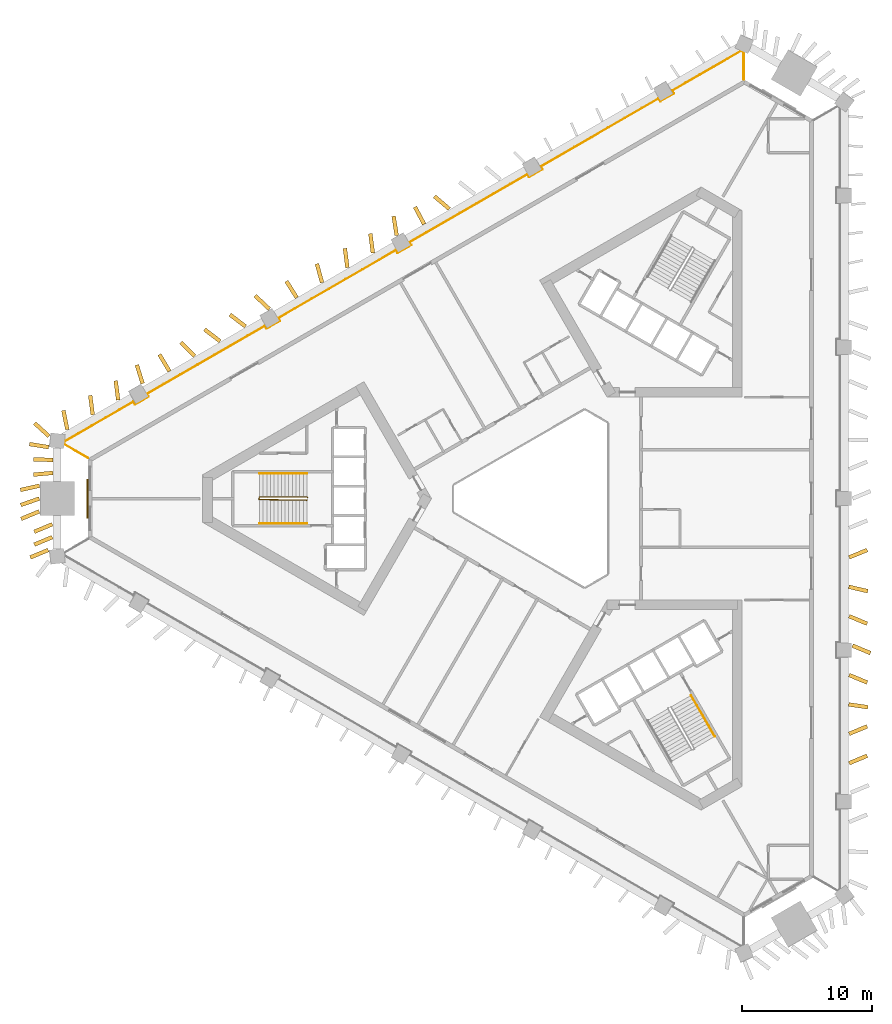
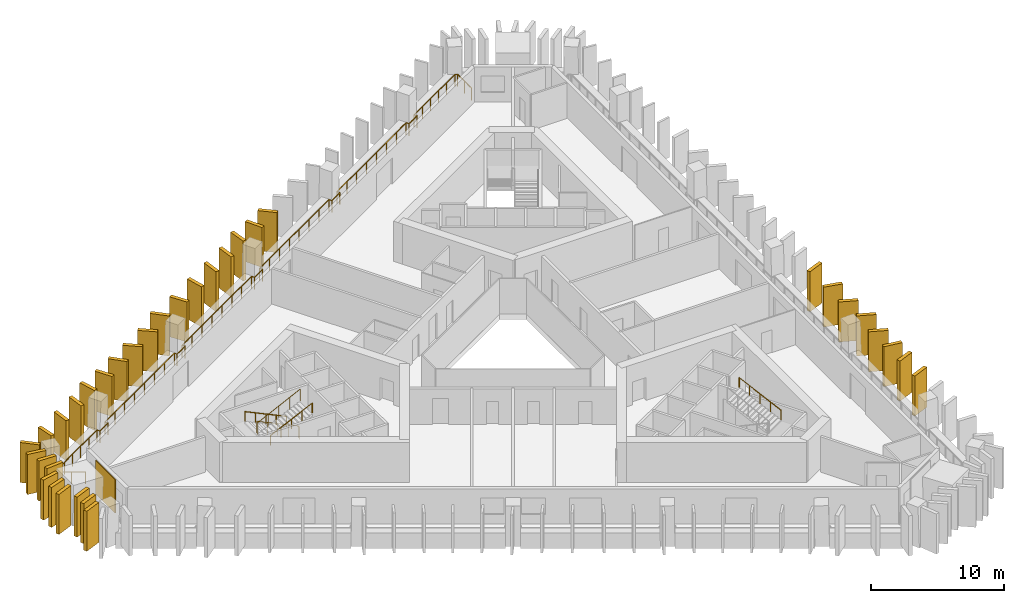
# One storey, part 8 of 9: 34 shading devices, 5 railings, 1 covering.
"""IFC4 building model written with IfcOpenShell, lengths in metres."""

from ifc_helpers import new_model, si_unit, direction, frame, frame_2d, origin, origin_2d, place, context, subcontext, project, spatial, rectangle, circle, extrude, material, layer, layer_set, type_object, element, save


model = new_model("IFC4")

# Units and contexts
model_context = context("Model", 3, precision=1e-05, world=origin(), true_north=direction((0.0, 1.0)))
body_context = subcontext(model_context, "Body", "Model", "MODEL_VIEW")
ifc_project = project(units=[si_unit("LENGTHUNIT", "METRE"), si_unit("AREAUNIT", "SQUARE_METRE"), si_unit("VOLUMEUNIT", "CUBIC_METRE"), si_unit("PLANEANGLEUNIT", "RADIAN"), si_unit("MASSUNIT", "GRAM", prefix="KILO")], contexts=[model_context])

# Site, building, storey
site_placement = place(None, origin())
site = spatial("IfcSite", under=ifc_project, at=site_placement, CompositionType="ELEMENT")
building_placement = place(site_placement, origin())
building = spatial("IfcBuilding", under=site, at=building_placement, Name="Jabali Bay Hotel Tower and Convention Centre", CompositionType="ELEMENT")
storey_placement = place(building_placement, frame((0.0, 0.0, 94.300048828125)))
storey = spatial("IfcBuildingStorey", under=building, at=storey_placement, Name="L22", CompositionType="ELEMENT", Elevation=94.300048828125)

# Railing
ifc_material_1 = material(Name="Glass", Category="glass")
railing_type_1 = type_object("IfcRailingType", Name="Loggia glass guard 1100", PredefinedType="BALUSTRADE", material=ifc_material_1)
railing_1_placement = place(storey_placement, frame((39.59423828125, 83.116455078125, 0.0)))
element("IfcRailing", 1, at=railing_1_placement, inside=storey, type_object=railing_type_1, Name="Loggia glass guard L22", PredefinedType="BALUSTRADE", context=body_context, shape_type="SweptSolid", body=[
    extrude(circle(Radius=0.02490234375, at=origin_2d()), frame((0.0, 0.0, 1.0751953125), z_axis=(-0.866006443985, 0.500032837899, 0.0), x_axis=(-0.495754987653, -0.858597638805, 0.13052619222)), (0.0, 0.0, 1.0), 2.110595703125),
    extrude(circle(Radius=0.02490234375, at=origin_2d()), frame((-1.827880859375, 1.055419921875, 1.0751953125), z_axis=(0.117171257249, 0.993111724065, 0.0), x_axis=(-0.984615515594, 0.116168840901, 0.13052619222)), (0.0, 0.0, 1.0), 0.214599609375),
    extrude(circle(Radius=0.02490234375, at=origin_2d()), frame((-1.802734375, 1.2685546875, 1.0751953125), z_axis=(0.866013589157, 0.500020462976, 0.0), x_axis=(-0.495742718599, 0.85860472285, 0.13052619222)), (0.0, 0.0, 1.0), 6.122314453125),
    extrude(circle(Radius=0.02490234375, at=origin_2d()), frame((3.499267578125, 4.329833984375, 1.0751953125), z_axis=(0.499919672301, -0.866071776036, 0.0), x_axis=(0.858662411932, 0.495642790202, 0.13052619222)), (0.0, 0.0, 1.0), 0.25),
    extrude(circle(Radius=0.02490234375, at=origin_2d()), frame((3.624267578125, 4.11328125, 1.0751953125), z_axis=(0.866006032174, 0.500033551112, 0.0), x_axis=(-0.495755694765, 0.858597230518, 0.13052619222)), (0.0, 0.0, 1.0), 1.2001953125),
    extrude(circle(Radius=0.02490234375, at=origin_2d()), frame((4.66357421875, 4.71337890625, 1.0751953125), z_axis=(-0.500342721131, 0.865827443207, 0.0), x_axis=(-0.858420169404, -0.496062219791, 0.13052619222)), (0.0, 0.0, 1.0), 0.249755859375),
    extrude(circle(Radius=0.02490234375, at=origin_2d()), frame((4.53857421875, 4.9296875, 1.0751953125), z_axis=(0.866019916724, 0.500009503747, 0.0), x_axis=(-0.495731853129, 0.858610996283, 0.13052619222)), (0.0, 0.0, 1.0), 10.454345703125),
    extrude(circle(Radius=0.02490234375, at=origin_2d()), frame((13.59228515625, 10.156982421875, 1.0751953125), z_axis=(0.499919672301, -0.866071776036, 0.0), x_axis=(0.858662411932, 0.495642790202, 0.13052619222)), (0.0, 0.0, 1.0), 0.25),
    extrude(circle(Radius=0.02490234375, at=origin_2d()), frame((13.71728515625, 9.9404296875, 1.0751953125), z_axis=(0.866006032174, 0.500033551112, 0.0), x_axis=(-0.495755694765, 0.858597230518, 0.13052619222)), (0.0, 0.0, 1.0), 1.2001953125),
    extrude(circle(Radius=0.02490234375, at=origin_2d()), frame((14.756591796875, 10.54052734375, 1.0751953125), z_axis=(-0.500342721131, 0.865827443207, 0.0), x_axis=(-0.858420169404, -0.496062219791, 0.13052619222)), (0.0, 0.0, 1.0), 0.249755859375),
    extrude(circle(Radius=0.02490234375, at=origin_2d()), frame((14.631591796875, 10.7568359375, 1.0751953125), z_axis=(0.866019916724, 0.500009503747, 0.0), x_axis=(-0.495731853129, 0.858610996283, 0.13052619222)), (0.0, 0.0, 1.0), 10.454345703125),
    extrude(circle(Radius=0.02490234375, at=origin_2d()), frame((23.685302734375, 15.984130859375, 1.0751953125), z_axis=(0.499919672301, -0.866071776036, 0.0), x_axis=(0.858662411932, 0.495642790202, 0.13052619222)), (0.0, 0.0, 1.0), 0.25),
    extrude(circle(Radius=0.02490234375, at=origin_2d()), frame((23.810302734375, 15.767578125, 1.0751953125), z_axis=(0.865955154139, 0.50012165622, 0.0), x_axis=(-0.495843046121, 0.858546787751, 0.13052619222)), (0.0, 0.0, 1.0), 1.199951171875),
    extrude(circle(Radius=0.02490234375, at=origin_2d()), frame((24.849365234375, 16.36767578125, 1.0751953125), z_axis=(-0.499919672301, 0.866071776036, 0.0), x_axis=(-0.858662411932, -0.495642790202, 0.13052619222)), (0.0, 0.0, 1.0), 0.25),
    extrude(circle(Radius=0.02490234375, at=origin_2d()), frame((24.724365234375, 16.584228515625, 1.0751953125), z_axis=(0.866030028907, 0.499991988968, 0.0), x_axis=(-0.49571448819, 0.858621021955, 0.13052619222)), (0.0, 0.0, 1.0), 10.454345703125),
    extrude(circle(Radius=0.02490234375, at=origin_2d()), frame((33.778076171875, 21.811279296875, 1.0751953125), z_axis=(0.499919672301, -0.866071776036, 0.0), x_axis=(0.858662411932, 0.495642790202, 0.13052619222)), (0.0, 0.0, 1.0), 0.25),
    extrude(circle(Radius=0.02490234375, at=origin_2d()), frame((33.903076171875, 21.5947265625, 1.0751953125), z_axis=(0.866006032174, 0.500033551112, 0.0), x_axis=(-0.495755694765, 0.858597230518, 0.13052619222)), (0.0, 0.0, 1.0), 1.2001953125),
    extrude(circle(Radius=0.02490234375, at=origin_2d()), frame((34.9423828125, 22.19482421875, 1.0751953125), z_axis=(-0.499919672301, 0.866071776036, 0.0), x_axis=(-0.858662411932, -0.495642790202, 0.13052619222)), (0.0, 0.0, 1.0), 0.25),
    extrude(circle(Radius=0.02490234375, at=origin_2d()), frame((34.8173828125, 22.411376953125, 1.0751953125), z_axis=(0.866030028907, 0.499991988968, 0.0), x_axis=(-0.49571448819, 0.858621021955, 0.13052619222)), (0.0, 0.0, 1.0), 10.454345703125),
    extrude(circle(Radius=0.02490234375, at=origin_2d()), frame((43.87109375, 27.638427734375, 1.0751953125), z_axis=(0.499919672301, -0.866071776036, 0.0), x_axis=(0.858662411932, 0.495642790202, 0.13052619222)), (0.0, 0.0, 1.0), 0.25),
    extrude(circle(Radius=0.02490234375, at=origin_2d()), frame((43.99609375, 27.421875, 1.0751953125), z_axis=(0.866006032174, 0.500033551112, 0.0), x_axis=(-0.495755694765, 0.858597230518, 0.13052619222)), (0.0, 0.0, 1.0), 1.2001953125),
    extrude(circle(Radius=0.02490234375, at=origin_2d()), frame((45.035400390625, 28.02197265625, 1.0751953125), z_axis=(-0.499919672301, 0.866071776036, 0.0), x_axis=(-0.858662411932, -0.495642790202, 0.13052619222)), (0.0, 0.0, 1.0), 0.25),
    extrude(circle(Radius=0.02490234375, at=origin_2d()), frame((44.910400390625, 28.238525390625, 1.0751953125), z_axis=(0.86604082541, 0.49997328801, 0.0), x_axis=(-0.495695947221, 0.858631726093, 0.13052619222)), (0.0, 0.0, 1.0), 6.122314453125),
    extrude(circle(Radius=0.02490234375, at=origin_2d()), frame((50.212646484375, 31.299560546875, 1.0751953125), z_axis=(0.918673318712, -0.395018143238, 0.0), x_axis=(0.391638708263, 0.910813941118, 0.13052619222)), (0.0, 0.0, 1.0), 0.21435546875),
    extrude(circle(Radius=0.02490234375, at=origin_2d()), frame((50.40966796875, 31.21484375, 1.0751953125), z_axis=(0.0, -1.0, 0.0), x_axis=(0.991444861374, 0.0, 0.13052619222)), (0.0, 0.0, 1.0), 2.11083984375),
    extrude(circle(Radius=0.02001953125, at=origin_2d()), origin(), (0.0, 0.0, 1.0), 1.050048828125),
    extrude(circle(Radius=0.02001953125, at=origin_2d()), frame((-0.9140625, 0.52783203125, 0.0)), (0.0, 0.0, 1.0), 1.050048828125),
    extrude(circle(Radius=0.02001953125, at=origin_2d()), frame((-1.827880859375, 1.055419921875, 0.0)), (0.0, 0.0, 1.0), 1.050048828125),
    extrude(circle(Radius=0.02001953125, at=origin_2d()), frame((-1.802734375, 1.2685546875, 0.0)), (0.0, 0.0, 1.0), 1.050048828125),
    extrude(circle(Radius=0.02001953125, at=origin_2d()), frame((-0.742431640625, 1.880859375, 0.0)), (0.0, 0.0, 1.0), 1.050048828125),
    extrude(circle(Radius=0.02001953125, at=origin_2d()), frame((0.318115234375, 2.4931640625, 0.0)), (0.0, 0.0, 1.0), 1.050048828125),
    extrude(circle(Radius=0.02001953125, at=origin_2d()), frame((1.37841796875, 3.105224609375, 0.0)), (0.0, 0.0, 1.0), 1.050048828125),
    extrude(circle(Radius=0.02001953125, at=origin_2d()), frame((2.43896484375, 3.717529296875, 0.0)), (0.0, 0.0, 1.0), 1.050048828125),
    extrude(circle(Radius=0.02001953125, at=origin_2d()), frame((3.499267578125, 4.329833984375, 0.0)), (0.0, 0.0, 1.0), 1.050048828125),
    extrude(circle(Radius=0.02001953125, at=origin_2d()), frame((3.624267578125, 4.11328125, 0.0)), (0.0, 0.0, 1.0), 1.050048828125),
    extrude(circle(Radius=0.02001953125, at=origin_2d()), frame((4.66357421875, 4.71337890625, 0.0)), (0.0, 0.0, 1.0), 1.050048828125),
    extrude(circle(Radius=0.02001953125, at=origin_2d()), frame((4.53857421875, 4.9296875, 0.0)), (0.0, 0.0, 1.0), 1.050048828125),
    extrude(circle(Radius=0.02001953125, at=origin_2d()), frame((5.83203125, 5.676513671875, 0.0)), (0.0, 0.0, 1.0), 1.050048828125),
    extrude(circle(Radius=0.02001953125, at=origin_2d()), frame((7.125244140625, 6.423095703125, 0.0)), (0.0, 0.0, 1.0), 1.050048828125),
    extrude(circle(Radius=0.02001953125, at=origin_2d()), frame((8.418701171875, 7.169921875, 0.0)), (0.0, 0.0, 1.0), 1.050048828125),
    extrude(circle(Radius=0.02001953125, at=origin_2d()), frame((9.712158203125, 7.916748046875, 0.0)), (0.0, 0.0, 1.0), 1.050048828125),
    extrude(circle(Radius=0.02001953125, at=origin_2d()), frame((11.005615234375, 8.66357421875, 0.0)), (0.0, 0.0, 1.0), 1.050048828125),
    extrude(circle(Radius=0.02001953125, at=origin_2d()), frame((12.298828125, 9.41015625, 0.0)), (0.0, 0.0, 1.0), 1.050048828125),
    extrude(circle(Radius=0.02001953125, at=origin_2d()), frame((13.59228515625, 10.156982421875, 0.0)), (0.0, 0.0, 1.0), 1.050048828125),
    extrude(circle(Radius=0.02001953125, at=origin_2d()), frame((13.71728515625, 9.9404296875, 0.0)), (0.0, 0.0, 1.0), 1.050048828125),
    extrude(circle(Radius=0.02001953125, at=origin_2d()), frame((14.756591796875, 10.54052734375, 0.0)), (0.0, 0.0, 1.0), 1.050048828125),
    extrude(circle(Radius=0.02001953125, at=origin_2d()), frame((14.631591796875, 10.7568359375, 0.0)), (0.0, 0.0, 1.0), 1.050048828125),
    extrude(circle(Radius=0.02001953125, at=origin_2d()), frame((15.925048828125, 11.503662109375, 0.0)), (0.0, 0.0, 1.0), 1.050048828125),
    extrude(circle(Radius=0.02001953125, at=origin_2d()), frame((17.21826171875, 12.250244140625, 0.0)), (0.0, 0.0, 1.0), 1.050048828125),
    extrude(circle(Radius=0.02001953125, at=origin_2d()), frame((18.51171875, 12.9970703125, 0.0)), (0.0, 0.0, 1.0), 1.050048828125),
    extrude(circle(Radius=0.02001953125, at=origin_2d()), frame((19.80517578125, 13.743896484375, 0.0)), (0.0, 0.0, 1.0), 1.050048828125),
    extrude(circle(Radius=0.02001953125, at=origin_2d()), frame((21.0986328125, 14.49072265625, 0.0)), (0.0, 0.0, 1.0), 1.050048828125),
    extrude(circle(Radius=0.02001953125, at=origin_2d()), frame((22.391845703125, 15.2373046875, 0.0)), (0.0, 0.0, 1.0), 1.050048828125),
    extrude(circle(Radius=0.02001953125, at=origin_2d()), frame((23.685302734375, 15.984130859375, 0.0)), (0.0, 0.0, 1.0), 1.050048828125),
    extrude(circle(Radius=0.02001953125, at=origin_2d()), frame((23.810302734375, 15.767578125, 0.0)), (0.0, 0.0, 1.0), 1.050048828125),
    extrude(circle(Radius=0.02001953125, at=origin_2d()), frame((24.849365234375, 16.36767578125, 0.0)), (0.0, 0.0, 1.0), 1.050048828125),
    extrude(circle(Radius=0.02001953125, at=origin_2d()), frame((24.724365234375, 16.584228515625, 0.0)), (0.0, 0.0, 1.0), 1.050048828125),
    extrude(circle(Radius=0.02001953125, at=origin_2d()), frame((26.017822265625, 17.3310546875, 0.0)), (0.0, 0.0, 1.0), 1.050048828125),
    extrude(circle(Radius=0.02001953125, at=origin_2d()), frame((27.31103515625, 18.07763671875, 0.0)), (0.0, 0.0, 1.0), 1.050048828125),
    extrude(circle(Radius=0.02001953125, at=origin_2d()), frame((28.6044921875, 18.824462890625, 0.0)), (0.0, 0.0, 1.0), 1.050048828125),
    extrude(circle(Radius=0.02001953125, at=origin_2d()), frame((29.89794921875, 19.571044921875, 0.0)), (0.0, 0.0, 1.0), 1.050048828125),
    extrude(circle(Radius=0.02001953125, at=origin_2d()), frame((31.19140625, 20.31787109375, 0.0)), (0.0, 0.0, 1.0), 1.050048828125),
    extrude(circle(Radius=0.02001953125, at=origin_2d()), frame((32.484619140625, 21.064453125, 0.0)), (0.0, 0.0, 1.0), 1.050048828125),
    extrude(circle(Radius=0.02001953125, at=origin_2d()), frame((33.778076171875, 21.811279296875, 0.0)), (0.0, 0.0, 1.0), 1.050048828125),
    extrude(circle(Radius=0.02001953125, at=origin_2d()), frame((33.903076171875, 21.5947265625, 0.0)), (0.0, 0.0, 1.0), 1.050048828125),
    extrude(circle(Radius=0.02001953125, at=origin_2d()), frame((34.9423828125, 22.19482421875, 0.0)), (0.0, 0.0, 1.0), 1.050048828125),
    extrude(circle(Radius=0.02001953125, at=origin_2d()), frame((34.8173828125, 22.411376953125, 0.0)), (0.0, 0.0, 1.0), 1.050048828125),
    extrude(circle(Radius=0.02001953125, at=origin_2d()), frame((36.11083984375, 23.158203125, 0.0)), (0.0, 0.0, 1.0), 1.050048828125),
    extrude(circle(Radius=0.02001953125, at=origin_2d()), frame((37.404052734375, 23.90478515625, 0.0)), (0.0, 0.0, 1.0), 1.050048828125),
    extrude(circle(Radius=0.02001953125, at=origin_2d()), frame((38.697509765625, 24.651611328125, 0.0)), (0.0, 0.0, 1.0), 1.050048828125),
    extrude(circle(Radius=0.02001953125, at=origin_2d()), frame((39.990966796875, 25.398193359375, 0.0)), (0.0, 0.0, 1.0), 1.050048828125),
    extrude(circle(Radius=0.02001953125, at=origin_2d()), frame((41.284423828125, 26.14501953125, 0.0)), (0.0, 0.0, 1.0), 1.050048828125),
    extrude(circle(Radius=0.02001953125, at=origin_2d()), frame((42.57763671875, 26.8916015625, 0.0)), (0.0, 0.0, 1.0), 1.050048828125),
    extrude(circle(Radius=0.02001953125, at=origin_2d()), frame((43.87109375, 27.638427734375, 0.0)), (0.0, 0.0, 1.0), 1.050048828125),
    extrude(circle(Radius=0.02001953125, at=origin_2d()), frame((43.99609375, 27.421875, 0.0)), (0.0, 0.0, 1.0), 1.050048828125),
    extrude(circle(Radius=0.02001953125, at=origin_2d()), frame((45.035400390625, 28.02197265625, 0.0)), (0.0, 0.0, 1.0), 1.050048828125),
    extrude(circle(Radius=0.02001953125, at=origin_2d()), frame((44.910400390625, 28.238525390625, 0.0)), (0.0, 0.0, 1.0), 1.050048828125),
    extrude(circle(Radius=0.02001953125, at=origin_2d()), frame((45.970947265625, 28.850830078125, 0.0)), (0.0, 0.0, 1.0), 1.050048828125),
    extrude(circle(Radius=0.02001953125, at=origin_2d()), frame((47.03125, 29.462890625, 0.0)), (0.0, 0.0, 1.0), 1.050048828125),
    extrude(circle(Radius=0.02001953125, at=origin_2d()), frame((48.091796875, 30.0751953125, 0.0)), (0.0, 0.0, 1.0), 1.050048828125),
    extrude(circle(Radius=0.02001953125, at=origin_2d()), frame((49.152099609375, 30.687255859375, 0.0)), (0.0, 0.0, 1.0), 1.050048828125),
    extrude(circle(Radius=0.02001953125, at=origin_2d()), frame((50.212646484375, 31.299560546875, 0.0)), (0.0, 0.0, 1.0), 1.050048828125),
    extrude(circle(Radius=0.02001953125, at=origin_2d()), frame((50.40966796875, 31.21484375, 0.0)), (0.0, 0.0, 1.0), 1.050048828125),
    extrude(circle(Radius=0.02001953125, at=origin_2d()), frame((50.40966796875, 30.159423828125, 0.0)), (0.0, 0.0, 1.0), 1.050048828125),
    extrude(circle(Radius=0.02001953125, at=origin_2d()), frame((50.40966796875, 29.10400390625, 0.0)), (0.0, 0.0, 1.0), 1.050048828125),
])

# Shading devices
ifc_material_2 = material(Name="Precast concrete C60", Category="concrete")
ifc_layer_1 = layer(ifc_material_2, 0.300048828125)
ifc_layer_set_1 = layer_set([ifc_layer_1], Name="Precast concrete C60")
shading_device_type = type_object("IfcShadingDeviceType", Name="Precast fin 3680 x 1500", PredefinedType="USERDEFINED", material=ifc_layer_set_1)
for number, where, z_axis, x_axis, name in (
    (2, (98.101806640625, 59.654296875, 0.010009765625), (0.0, 0.0, 1.0), (0.923153948977, 0.38443047029, 0.0), "Fin L22 004"),
    (3, (98.1015625, 61.9150390625, 0.010009765625), (0.0, 0.0, 1.0), (0.92410404988, 0.382140949122, 0.0), "Fin L22 005"),
    (4, (98.06591796875, 64.175537109375, 0.010009765625), (0.0, 0.0, 1.0), (0.989428619698, -0.145020710668, 0.0), "Fin L22 006"),
):
    element("IfcShadingDevice", number, at=place(storey_placement, frame(where, z_axis=z_axis, x_axis=x_axis)), inside=storey, type_object=shading_device_type, Name=name, ObjectType="FIN", PredefinedType="USERDEFINED", context=body_context, shape_type="SweptSolid", body=[
        extrude(rectangle(XDim=1.5, YDim=0.300048828125, at=frame_2d((0.75, 0.0))), origin(), (0.0, 0.0, 1.0), 3.679931640625),
    ])
shading_device_1_placement = place(storey_placement, frame((98.101806640625, 66.436279296875, 0.010009765625), z_axis=(0.0, 0.0, 1.0), x_axis=(0.923096181819, -0.384569160374, 0.0)))
element("IfcShadingDevice", 5, at=shading_device_1_placement, inside=storey, type_object=shading_device_type, Name="Fin L22 007", ObjectType="FIN", PredefinedType="USERDEFINED", context=body_context, shape_type="SweptSolid", body=[
    extrude(rectangle(XDim=1.500244140625, YDim=0.300048828125, at=frame_2d((0.75, 0.0))), origin(), (0.0, 0.0, 1.0), 3.679931640625),
])
for number, where, z_axis, x_axis, name in (
    (6, (98.359375, 68.69677734375, 0.010009765625), (0.0, 0.0, 1.0), (0.923153948977, -0.38443047029, 0.0), "Fin L22 008"),
    (7, (98.101806640625, 70.95751953125, 0.010009765625), (0.0, 0.0, 1.0), (0.923153948977, -0.38443047029, 0.0), "Fin L22 009"),
    (8, (98.078125, 73.218017578125, 0.010009765625), (0.0, 0.0, 1.0), (0.974074789268, -0.226226225076, 0.0), "Fin L22 010"),
    (9, (98.100830078125, 75.478759765625, 0.010009765625), (0.0, 0.0, 1.0), (0.926100784729, 0.377276207206, 0.0), "Fin L22 011"),
    (10, (67.368408203125, 102.260986328125, 0.010009765625), (0.0, 0.0, 1.0), (-0.760874129587, 0.648899498324, 0.0), "Fin L22 047"),
    (11, (65.43310546875, 101.091796875, 0.010009765625), (0.0, 0.0, 1.0), (-0.469920682104, 0.882708645324, 0.0), "Fin L22 048"),
    (12, (63.322265625, 100.226318359375, 0.010009765625), (0.0, 0.0, 1.0), (-0.157400076884, 0.987534918773, 0.0), "Fin L22 049"),
    (13, (61.4912109375, 98.87646484375, 0.010009765625), (0.0, 0.0, 1.0), (-0.128580707026, 0.991699047988, 0.0), "Fin L22 050"),
):
    element("IfcShadingDevice", number, at=place(storey_placement, frame(where, z_axis=z_axis, x_axis=x_axis)), inside=storey, type_object=shading_device_type, Name=name, ObjectType="FIN", PredefinedType="USERDEFINED", context=body_context, shape_type="SweptSolid", body=[
        extrude(rectangle(XDim=1.5, YDim=0.300048828125, at=frame_2d((0.75, 0.0))), origin(), (0.0, 0.0, 1.0), 3.679931640625),
    ])
shading_device_2_placement = place(storey_placement, frame((59.533447265625, 97.746337890625, 0.010009765625), z_axis=(0.0, 0.0, 1.0), x_axis=(-0.128601464473, 0.991696356419, 0.0)))
element("IfcShadingDevice", 14, at=shading_device_2_placement, inside=storey, type_object=shading_device_type, Name="Fin L22 051", ObjectType="FIN", PredefinedType="USERDEFINED", context=body_context, shape_type="SweptSolid", body=[
    extrude(rectangle(XDim=1.499755859375, YDim=0.300048828125, at=frame_2d((0.75, 0.0))), origin(), (0.0, 0.0, 1.0), 3.679931640625),
])
for number, where, z_axis, x_axis, name in (
    (15, (57.585693359375, 96.5986328125, 0.010009765625), (0.0, 0.0, 1.0), (-0.266132412387, 0.963936480831, 0.0), "Fin L22 052"),
    (16, (55.643798828125, 95.440673828125, 0.010009765625), (0.0, 0.0, 1.0), (-0.533184452653, 0.845999018586, 0.0), "Fin L22 053"),
    (17, (53.53857421875, 94.56591796875, 0.010009765625), (0.0, 0.0, 1.0), (-0.729603180017, 0.68387074781, 0.0), "Fin L22 054"),
    (18, (51.702392578125, 93.224853515625, 0.010009765625), (0.0, 0.0, 1.0), (-0.794477939917, 0.607293012462, 0.0), "Fin L22 055"),
):
    element("IfcShadingDevice", number, at=place(storey_placement, frame(where, z_axis=z_axis, x_axis=x_axis)), inside=storey, type_object=shading_device_type, Name=name, ObjectType="FIN", PredefinedType="USERDEFINED", context=body_context, shape_type="SweptSolid", body=[
        extrude(rectangle(XDim=1.5, YDim=0.300048828125, at=frame_2d((0.75, 0.0))), origin(), (0.0, 0.0, 1.0), 3.679931640625),
    ])
shading_device_3_placement = place(storey_placement, frame((49.74462890625, 92.0947265625, 0.010009765625), z_axis=(0.0, 0.0, 1.0), x_axis=(-0.794556474212, 0.6071902579, 0.0)))
element("IfcShadingDevice", 19, at=shading_device_3_placement, inside=storey, type_object=shading_device_type, Name="Fin L22 056", ObjectType="FIN", PredefinedType="USERDEFINED", context=body_context, shape_type="SweptSolid", body=[
    extrude(rectangle(XDim=1.499755859375, YDim=0.300048828125, at=frame_2d((0.75, 0.0))), origin(), (0.0, 0.0, 1.0), 3.679931640625),
])
shading_device_4_placement = place(storey_placement, frame((47.796630859375, 90.947265625, 0.010009765625), z_axis=(0.0, 0.0, 1.0), x_axis=(-0.702944316459, 0.711244886068, 0.0)))
element("IfcShadingDevice", 20, at=shading_device_4_placement, inside=storey, type_object=shading_device_type, Name="Fin L22 057", ObjectType="FIN", PredefinedType="USERDEFINED", context=body_context, shape_type="SweptSolid", body=[
    extrude(rectangle(XDim=1.5, YDim=0.300048828125, at=frame_2d((0.75, 0.0))), origin(), (0.0, 0.0, 1.0), 3.679931640625),
])
shading_device_5_placement = place(storey_placement, frame((45.8564453125, 89.78662109375, 0.010009765625), z_axis=(0.0, 0.0, 1.0), x_axis=(-0.516337809638, 0.856384998898, 0.0)))
element("IfcShadingDevice", 21, at=shading_device_5_placement, inside=storey, type_object=shading_device_type, Name="Fin L22 058", ObjectType="FIN", PredefinedType="USERDEFINED", context=body_context, shape_type="SweptSolid", body=[
    extrude(rectangle(XDim=1.499755859375, YDim=0.300048828125, at=frame_2d((0.75, 0.0))), origin(), (0.0, 0.0, 1.0), 3.679931640625),
])
for number, where, z_axis, x_axis, name in (
    (22, (43.791015625, 88.843017578125, 0.010009765625), (0.0, 0.0, 1.0), (-0.295252245211, 0.955419338143, 0.0), "Fin L22 059"),
    (23, (41.91357421875, 87.573486328125, 0.010009765625), (0.0, 0.0, 1.0), (-0.128580707026, 0.991699047988, 0.0), "Fin L22 060"),
    (24, (39.955810546875, 86.443115234375, 0.010009765625), (0.0, 0.0, 1.0), (-0.128580707026, 0.991699047988, 0.0), "Fin L22 061"),
    (25, (38.003173828125, 85.30419921875, 0.010009765625), (0.0, 0.0, 1.0), (-0.198901161927, 0.980019554797, 0.0), "Fin L22 062"),
    (26, (36.576416015625, 83.95068359375, 0.010009765625), (0.0, 0.0, 1.0), (-0.987327638999, 0.158695095289, 0.0), "Fin L22 063"),
    (27, (36.90185546875, 82.962890625, 0.010009765625), (0.0, 0.0, 1.0), (-0.999299138543, 0.03743302962, 0.0), "Fin L22 064"),
    (28, (36.8935546875, 81.975341796875, 0.010009765625), (0.0, 0.0, 1.0), (-0.995747865319, -0.092120511895, 0.0), "Fin L22 065"),
    (29, (35.8623046875, 80.987548828125, 0.010009765625), (0.0, 0.0, 1.0), (-0.975856603264, -0.218412201731, 0.0), "Fin L22 066"),
    (30, (35.845458984375, 80.0, 0.010009765625), (0.0, 0.0, 1.0), (-0.943721246643, -0.330741906378, 0.0), "Fin L22 067"),
):
    element("IfcShadingDevice", number, at=place(storey_placement, frame(where, z_axis=z_axis, x_axis=x_axis)), inside=storey, type_object=shading_device_type, Name=name, ObjectType="FIN", PredefinedType="USERDEFINED", context=body_context, shape_type="SweptSolid", body=[
        extrude(rectangle(XDim=1.5, YDim=0.300048828125, at=frame_2d((0.75, 0.0))), origin(), (0.0, 0.0, 1.0), 3.679931640625),
    ])
shading_device_6_placement = place(storey_placement, frame((35.83740234375, 79.012451171875, 0.010009765625), z_axis=(0.0, 0.0, 1.0), x_axis=(-0.923096181819, -0.384569160374, 0.0)))
element("IfcShadingDevice", 31, at=shading_device_6_placement, inside=storey, type_object=shading_device_type, Name="Fin L22 068", ObjectType="FIN", PredefinedType="USERDEFINED", context=body_context, shape_type="SweptSolid", body=[
    extrude(rectangle(XDim=1.500244140625, YDim=0.300048828125, at=frame_2d((0.75, 0.0))), origin(), (0.0, 0.0, 1.0), 3.679931640625),
])
for number, where, z_axis, x_axis, name in (
    (32, (36.849853515625, 78.024658203125, 0.010009765625), (0.0, 0.0, 1.0), (-0.923153948977, -0.38443047029, 0.0), "Fin L22 069"),
    (33, (36.849853515625, 77.037109375, 0.010009765625), (0.0, 0.0, 1.0), (-0.923153948977, -0.38443047029, 0.0), "Fin L22 070"),
):
    element("IfcShadingDevice", number, at=place(storey_placement, frame(where, z_axis=z_axis, x_axis=x_axis)), inside=storey, type_object=shading_device_type, Name=name, ObjectType="FIN", PredefinedType="USERDEFINED", context=body_context, shape_type="SweptSolid", body=[
        extrude(rectangle(XDim=1.5, YDim=0.300048828125, at=frame_2d((0.75, 0.0))), origin(), (0.0, 0.0, 1.0), 3.679931640625),
    ])
shading_device_7_placement = place(storey_placement, frame((36.541259765625, 76.04931640625, 0.010009765625), z_axis=(0.0, 0.0, 1.0), x_axis=(-0.923129890319, -0.384488238571, 0.0)))
element("IfcShadingDevice", 34, at=shading_device_7_placement, inside=storey, type_object=shading_device_type, Name="Fin L22 071", ObjectType="FIN", PredefinedType="USERDEFINED", context=body_context, shape_type="SweptSolid", body=[
    extrude(rectangle(XDim=1.499755859375, YDim=0.300048828125, at=frame_2d((0.75, 0.0))), origin(), (0.0, 0.0, 1.0), 3.679931640625),
])
shading_device_8_placement = place(storey_placement, frame((36.593505859375, 84.791259765625, 0.010009765625), z_axis=(0.0, 0.0, 1.0), x_axis=(-0.739298970965, 0.673377332207, 0.0)))
element("IfcShadingDevice", 35, at=shading_device_8_placement, inside=storey, type_object=shading_device_type, Name="Fin L22 111", ObjectType="FIN", PredefinedType="USERDEFINED", context=body_context, shape_type="SweptSolid", body=[
    extrude(rectangle(XDim=1.5, YDim=0.300048828125, at=frame_2d((0.75, 0.0))), origin(), (0.0, 0.0, 1.0), 3.679931640625),
])

# Covering
ifc_material_3 = material(Name="Precast concrete C40/50", Category="concrete")
ifc_layer_2 = layer(ifc_material_3, 0.080078125)
ifc_layer_set_2 = layer_set([ifc_layer_2], Name="Precast concrete C40/50")
covering_type = type_object("IfcCoveringType", Name="Relief panel 3000 x 3050", PredefinedType="CLADDING", material=ifc_layer_set_2)
covering_placement = place(storey_placement, frame((39.55419921875, 80.0, 0.10009765625), z_axis=(0.0, 0.0, 1.0), x_axis=(0.0, 1.0, 0.0)))
element("IfcCovering", 36, at=covering_placement, inside=storey, type_object=covering_type, Name="Relief panel L22", PredefinedType="CLADDING", context=body_context, shape_type="SweptSolid", body=[
    extrude(rectangle(XDim=3.0, YDim=0.080078125, at=origin_2d()), origin(), (0.0, 0.0, 1.0), 3.050048828125),
])

# Railings
ifc_material_4 = material(Name="Steel Q355B", Category="steel")
railing_type_2 = type_object("IfcRailingType", Name="Stair guard 1100", PredefinedType="GUARDRAIL", material=ifc_material_4)
railing_2_placement = place(storey_placement, frame((56.469970703125, 80.074951171875, 0.0)))
element("IfcRailing", 37, at=railing_2_placement, inside=storey, type_object=railing_type_2, Name="L22 ST1 stair guard 1", PredefinedType="GUARDRAIL", context=body_context, shape_type="SweptSolid", body=[
    extrude(circle(Radius=0.02392578125, at=origin_2d()), frame((0.0, 0.0, 1.076171875), z_axis=(-0.333993628408, 0.333993628408, 0.881417331555), x_axis=(-0.707106781187, -0.707106781187, 0.0)), (0.0, 0.0, 1.0), 0.14990234375),
    extrude(circle(Radius=0.02392578125, at=origin_2d()), frame((-0.050048828125, 0.050048828125, 1.2080078125), z_axis=(-0.904350763662, 0.0, 0.426789990819), x_axis=(0.0, -1.0, 0.0)), (0.0, 0.0, 1.0), 4.02490234375),
    extrude(circle(Radius=0.02392578125, at=origin_2d()), frame((-3.68994140625, 0.050048828125, 2.92578125), z_axis=(-0.242814311512, -0.970072785993, 0.0), x_axis=(0.970072785993, -0.242814311512, 0.0)), (0.0, 0.0, 1.0), 0.2060546875),
    extrude(circle(Radius=0.02392578125, at=origin_2d()), frame((-3.739990234375, -0.14990234375, 2.92578125), z_axis=(0.893864111827, -0.012124000458, 0.448174026692), x_axis=(0.013562335953, 0.999908027292, 0.0)), (0.0, 0.0, 1.0), 4.128173828125),
    extrude(circle(Radius=0.02099609375, at=origin_2d()), origin(), (0.0, 0.0, 1.0), 1.052001953125),
    extrude(circle(Radius=0.02099609375, at=origin_2d()), frame((-0.050048828125, 0.050048828125, 0.132080078125)), (0.0, 0.0, 1.0), 1.052001953125),
    extrude(circle(Radius=0.02099609375, at=origin_2d()), frame((-0.9599609375, 0.050048828125, 0.5615234375)), (0.0, 0.0, 1.0), 1.052001953125),
    extrude(circle(Radius=0.02099609375, at=origin_2d()), frame((-1.8701171875, 0.050048828125, 0.990966796875)), (0.0, 0.0, 1.0), 1.052001953125),
    extrude(circle(Radius=0.02099609375, at=origin_2d()), frame((-2.780029296875, 0.050048828125, 1.42041015625)), (0.0, 0.0, 1.0), 1.052001953125),
    extrude(circle(Radius=0.02099609375, at=origin_2d()), frame((-3.68994140625, 0.050048828125, 1.849853515625)), (0.0, 0.0, 1.0), 1.052001953125),
    extrude(circle(Radius=0.02099609375, at=origin_2d()), frame((-3.739990234375, -0.14990234375, 1.849853515625)), (0.0, 0.0, 1.0), 1.052001953125),
    extrude(circle(Radius=0.02099609375, at=origin_2d()), frame((-2.8173828125, -0.162353515625, 2.3125)), (0.0, 0.0, 1.0), 1.052001953125),
    extrude(circle(Radius=0.02099609375, at=origin_2d()), frame((-1.89501953125, -0.1748046875, 2.77490234375)), (0.0, 0.0, 1.0), 1.052001953125),
    extrude(circle(Radius=0.02099609375, at=origin_2d()), frame((-0.97265625, -0.1875, 3.2373046875)), (0.0, 0.0, 1.0), 1.052001953125),
    extrude(circle(Radius=0.02099609375, at=origin_2d()), frame((-0.050048828125, -0.199951171875, 3.699951171875)), (0.0, 0.0, 1.0), 1.052001953125),
])
railing_type_3 = type_object("IfcRailingType", Name="Stair handrail 900", PredefinedType="HANDRAIL", material=ifc_material_4)
railing_3_placement = place(storey_placement, frame((56.419921875, 81.925048828125, 0.132080078125)))
element("IfcRailing", 38, at=railing_3_placement, inside=storey, type_object=railing_type_3, Name="L22 ST1 stair handrail 1", PredefinedType="HANDRAIL", context=body_context, shape_type="SweptSolid", body=[
    extrude(circle(Radius=0.02392578125, at=origin_2d()), frame((0.0, 0.0, 0.8759765625), z_axis=(-0.904350763662, 0.0, 0.426789990819), x_axis=(0.0, -1.0, 0.0)), (0.0, 0.0, 1.0), 4.02490234375),
    extrude(circle(Radius=0.02099609375, at=origin_2d()), origin(), (0.0, 0.0, 1.0), 0.851806640625),
    extrude(circle(Radius=0.02099609375, at=origin_2d()), frame((-0.909912109375, 0.0, 0.429443359375)), (0.0, 0.0, 1.0), 0.851806640625),
    extrude(circle(Radius=0.02099609375, at=origin_2d()), frame((-1.81982421875, 0.0, 0.85888671875)), (0.0, 0.0, 1.0), 0.851806640625),
    extrude(circle(Radius=0.02099609375, at=origin_2d()), frame((-2.72998046875, 0.0, 1.288330078125)), (0.0, 0.0, 1.0), 0.851806640625),
    extrude(circle(Radius=0.02099609375, at=origin_2d()), frame((-3.639892578125, 0.0, 1.7177734375)), (0.0, 0.0, 1.0), 0.851806640625),
])
railing_4_placement = place(storey_placement, frame((52.780029296875, 78.074951171875, 1.982177734375)))
element("IfcRailing", 39, at=railing_4_placement, inside=storey, type_object=railing_type_3, Name="L22 ST1 stair handrail 2", PredefinedType="HANDRAIL", context=body_context, shape_type="SweptSolid", body=[
    extrude(circle(Radius=0.02392578125, at=origin_2d()), frame((0.0, 0.0, 0.8759765625), z_axis=(0.904350763662, 0.0, 0.426789990819), x_axis=(0.0, 1.0, 0.0)), (0.0, 0.0, 1.0), 4.02490234375),
    extrude(circle(Radius=0.02099609375, at=origin_2d()), origin(), (0.0, 0.0, 1.0), 0.851806640625),
    extrude(circle(Radius=0.02099609375, at=origin_2d()), frame((0.909912109375, 0.0, 0.429443359375)), (0.0, 0.0, 1.0), 0.851806640625),
    extrude(circle(Radius=0.02099609375, at=origin_2d()), frame((1.81982421875, 0.0, 0.85888671875)), (0.0, 0.0, 1.0), 0.851806640625),
    extrude(circle(Radius=0.02099609375, at=origin_2d()), frame((2.72998046875, 0.0, 1.288330078125)), (0.0, 0.0, 1.0), 0.851806640625),
    extrude(circle(Radius=0.02099609375, at=origin_2d()), frame((3.639892578125, 0.0, 1.7177734375)), (0.0, 0.0, 1.0), 0.851806640625),
])
railing_5_placement = place(storey_placement, frame((87.777099609375, 61.719482421875, 1.982177734375)))
element("IfcRailing", 40, at=railing_5_placement, inside=storey, type_object=railing_type_3, Name="L22 ST3 stair handrail 2", PredefinedType="HANDRAIL", context=body_context, shape_type="SweptSolid", body=[
    extrude(circle(Radius=0.02392578125, at=origin_2d()), frame((0.0, 0.0, 0.8759765625), z_axis=(-0.452190331055, 0.783190014029, 0.426775475427), x_axis=(-0.866018046521, -0.500012742938, 0.0)), (0.0, 0.0, 1.0), 4.02490234375),
    extrude(circle(Radius=0.02099609375, at=origin_2d()), origin(), (0.0, 0.0, 1.0), 0.851806640625),
    extrude(circle(Radius=0.02099609375, at=origin_2d()), frame((-0.455078125, 0.7880859375, 0.429443359375)), (0.0, 0.0, 1.0), 0.851806640625),
    extrude(circle(Radius=0.02099609375, at=origin_2d()), frame((-0.91015625, 1.576171875, 0.85888671875)), (0.0, 0.0, 1.0), 0.851806640625),
    extrude(circle(Radius=0.02099609375, at=origin_2d()), frame((-1.364990234375, 2.3642578125, 1.288330078125)), (0.0, 0.0, 1.0), 0.851806640625),
    extrude(circle(Radius=0.02099609375, at=origin_2d()), frame((-1.820068359375, 3.15234375, 1.7177734375)), (0.0, 0.0, 1.0), 0.851806640625),
])

save(model, "model.ifc")
